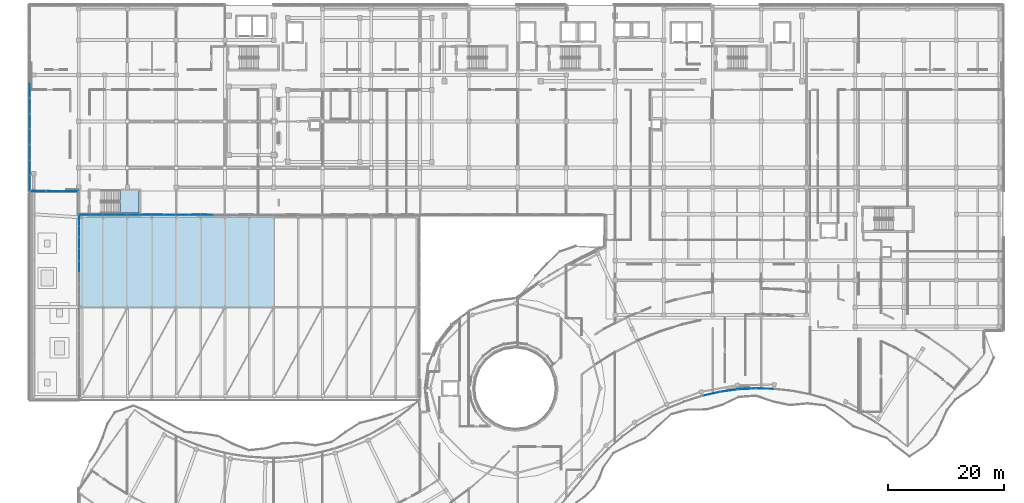
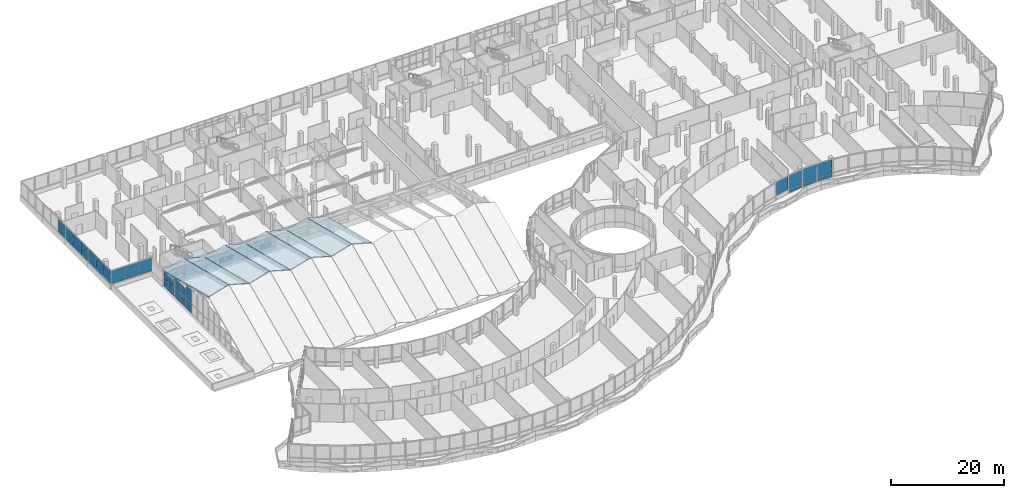
# One storey, part 150 of 184: 49 plates, 9 slabs, 15 elements without a shape of their own.
"""IFC4 building model written with IfcOpenShell, lengths in metres."""

import ifcopenshell
import ifcopenshell.guid

model = None  # the IFC model being written
_history = None  # IfcOwnerHistory: only IFC2X3 demands one
_inside = {}  # id of a spatial element -> (the spatial element, [elements in it])
_under = {}  # id of a project, library or spatial element -> (it, [spatial elements below it])
_declared = {}  # id of a project -> (the project, [libraries it declares])
_typed = {}  # id of a type object -> (the type object, [elements of that type])
_made_of = {}  # id of a material, layer set ... -> (it, [elements and type objects made of it])


def new_model(schema):
    """Start an empty IFC model of exactly this schema.

    Asked for "IFC4X3", IfcOpenShell would pick the latest addendum, in which some entities
    have other attributes; the version numbers below select the first issue.
    IFC2X3 requires an IfcOwnerHistory on every rooted entity: one is made here for all.
    """
    global model, _history
    if schema == "IFC4X3":
        model = ifcopenshell.file(schema_version=(4, 3, 0, 0))
    else:
        model = ifcopenshell.file(schema=schema)
    _inside.clear()
    _under.clear()
    _declared.clear()
    _typed.clear()
    _made_of.clear()
    _history = None
    if model.schema == "IFC2X3":
        org = make("IfcOrganization", Name="unknown")
        user = make(
            "IfcPersonAndOrganization",
            ThePerson=make("IfcPerson", FamilyName="unknown"),
            TheOrganization=org,
        )
        app = make(
            "IfcApplication",
            ApplicationDeveloper=org,
            Version="unknown",
            ApplicationFullName="unknown",
            ApplicationIdentifier="unknown",
        )
        _history = make(
            "IfcOwnerHistory",
            OwningUser=user,
            OwningApplication=app,
            ChangeAction="ADDED",
            CreationDate=0,
        )
    return model


def make(cls, **values):
    """One entity of the class cls with the attributes given. An attribute that is None is left unset."""
    return model.create_entity(
        cls, **{name: value for name, value in values.items() if value is not None}
    )


def rooted(cls, **values):
    """An entity with a GlobalId (a new one), such as an element, a storey or a relation."""
    return make(cls, GlobalId=ifcopenshell.guid.new(), OwnerHistory=_history, **values)


def si_unit(unit_type, name, prefix=None):
    """IfcSIUnit, for example si_unit("LENGTHUNIT", "METRE", prefix="MILLI")."""
    return make("IfcSIUnit", UnitType=unit_type, Prefix=prefix, Name=name)


def assignment(units):
    """IfcUnitAssignment: the units of a project."""
    return None if units is None else make("IfcUnitAssignment", Units=units)


def point(xyz):
    """IfcCartesianPoint."""
    return None if xyz is None else make("IfcCartesianPoint", Coordinates=xyz)


def direction(xyz):
    """IfcDirection."""
    return None if xyz is None else make("IfcDirection", DirectionRatios=xyz)


def frame(location, z_axis=None, x_axis=None):
    """IfcAxis2Placement3D, a coordinate frame: its origin and axes. An axis left out is left unset."""
    return make(
        "IfcAxis2Placement3D",
        Location=point(location),
        Axis=direction(z_axis),
        RefDirection=direction(x_axis),
    )


def frame_2d(location, x_axis=None):
    """IfcAxis2Placement2D, a coordinate frame in the plane: its origin and x axis."""
    return make(
        "IfcAxis2Placement2D", Location=point(location), RefDirection=direction(x_axis)
    )


def origin():
    """The frame at (0, 0, 0) with its axes left unset."""
    return frame((0.0, 0.0, 0.0))


def origin_2d():
    """The frame at (0, 0) in the plane with its x axis left unset."""
    return frame_2d((0.0, 0.0))


def place(relative_to, where):
    """IfcLocalPlacement: puts the frame where relative to a parent placement (None: the world)."""
    return make(
        "IfcLocalPlacement", PlacementRelTo=relative_to, RelativePlacement=where
    )


def context(
    kind, dimensions, precision=None, world=None, true_north=None, identifier=None
):
    """IfcGeometricRepresentationContext, for example the 3D "Model" context."""
    return make(
        "IfcGeometricRepresentationContext",
        ContextIdentifier=identifier,
        ContextType=kind,
        CoordinateSpaceDimension=dimensions,
        Precision=precision,
        WorldCoordinateSystem=world,
        TrueNorth=true_north,
    )


def subcontext(parent, identifier, kind, view, scale=None):
    """IfcGeometricRepresentationSubContext, for example "Body" below "Model"."""
    return make(
        "IfcGeometricRepresentationSubContext",
        ContextIdentifier=identifier,
        ContextType=kind,
        ParentContext=parent,
        TargetScale=scale,
        TargetView=view,
    )


def project(units=None, contexts=None):
    """IfcProject with its units and contexts."""
    return rooted(
        "IfcProject",
        Name="project",
        RepresentationContexts=contexts,
        UnitsInContext=assignment(units),
    )


def spatial(cls, under=None, at=None, **own):
    """A site, building, storey or space (cls), placed at a placement, below another one or the project."""
    s = rooted(cls, ObjectPlacement=at, **own)
    if under is not None:
        _under.setdefault(under.id(), (under, []))[1].append(s)
    return s


def polyline(points):
    """IfcPolyline through the points."""
    return make("IfcPolyline", Points=[point(p) for p in points])


def profile(cls, at=None, kind="AREA", **sizes):
    """A parametric profile (cls). Its sizes go by their IFC names, for example OverallWidth=200.0."""
    return make(cls, ProfileType=kind, Position=at, **sizes)


def rectangle(**sizes):
    """IfcRectangleProfileDef."""
    return profile("IfcRectangleProfileDef", **sizes)


def outline(outer, holes=None, kind="AREA"):
    """IfcArbitraryClosedProfileDef: a profile drawn as a closed curve; with holes, ...WithVoids."""
    if holes is None:
        return make("IfcArbitraryClosedProfileDef", ProfileType=kind, OuterCurve=outer)
    return make(
        "IfcArbitraryProfileDefWithVoids",
        ProfileType=kind,
        OuterCurve=outer,
        InnerCurves=holes,
    )


def extrude(swept, where, along, depth):
    """IfcExtrudedAreaSolid: the profile swept, set in the frame where, extruded along a direction by depth."""
    return make(
        "IfcExtrudedAreaSolid",
        SweptArea=swept,
        Position=where,
        ExtrudedDirection=direction(along),
        Depth=depth,
    )


def shape(context_of_items, identifier, shape_type, items):
    """IfcShapeRepresentation: the items that make up one representation, for example the "Body"."""
    return make(
        "IfcShapeRepresentation",
        ContextOfItems=context_of_items,
        RepresentationIdentifier=identifier,
        RepresentationType=shape_type,
        Items=items,
    )


def material(Name=None, Category=None):
    """IfcMaterial."""
    return make("IfcMaterial", Name=Name, Category=Category)


def layer(
    of_material, thickness, ventilated=None, Name=None, Category=None, Priority=None
):
    """IfcMaterialLayer: one layer of a wall or slab, of a material (None: an air gap)."""
    return make(
        "IfcMaterialLayer",
        Material=of_material,
        LayerThickness=thickness,
        IsVentilated=ventilated,
        Name=Name,
        Category=Category,
        Priority=Priority,
    )


def layer_set(layers, Name=None):
    """IfcMaterialLayerSet."""
    return make("IfcMaterialLayerSet", MaterialLayers=layers, LayerSetName=Name)


def made_of(thing, what):
    """Note that an element or type object is made of a material, layer set ...; save() writes the relation."""
    if what is not None:
        _made_of.setdefault(what.id(), (what, []))[1].append(thing)
    return thing


def type_object(cls, material=None, **own):
    """A type object (cls), such as IfcWallType, which elements share."""
    return made_of(rooted(cls, **own), material)


def element(
    cls,
    number,
    at=None,
    inside=None,
    cuts=None,
    type_object=None,
    material=None,
    context=None,
    identifier="Body",
    shape_type=None,
    held_by="IfcProductDefinitionShape",
    body=None,
    shapes=None,
    **own,
):
    """One element of the class cls, such as IfcWall. Its Tag is "e" and its number.

    at: its placement. inside: the storey or other place that contains it. cuts: it is an
    opening in that element (IfcRelVoidsElement). A single representation is given by context,
    identifier, shape_type and body (its items); several are given by shapes. held_by: the class
    of the entity that holds the representations. save() writes the other relations.
    """
    e = rooted(cls, Tag="e%d" % number, ObjectPlacement=at, **own)
    if body is not None:
        shapes = [shape(context, identifier, shape_type, body)]
    if shapes is not None:
        e.Representation = make(held_by, Representations=shapes)
    if inside is not None:
        _inside.setdefault(inside.id(), (inside, []))[1].append(e)
    if cuts is not None:
        rooted(
            "IfcRelVoidsElement", RelatingBuildingElement=cuts, RelatedOpeningElement=e
        )
    if type_object is not None:
        _typed.setdefault(type_object.id(), (type_object, []))[1].append(e)
    return made_of(e, material)


def aggregate(whole, parts):
    """IfcRelAggregates: a whole, such as a stair, and the parts it consists of."""
    return rooted("IfcRelAggregates", RelatingObject=whole, RelatedObjects=parts)


def save(model, path):
    """Write the relations noted so far, then the file.

    IfcRelAggregates (storeys below a building ...), IfcRelContainedInSpatialStructure (elements
    in a storey), IfcRelDefinesByType, IfcRelAssociatesMaterial and IfcRelDeclares: one each for
    every whole, place, type object, material and project.
    """
    for whole, parts in _under.values():
        aggregate(whole, parts)
    for where, things in _inside.values():
        rooted(
            "IfcRelContainedInSpatialStructure",
            RelatedElements=things,
            RelatingStructure=where,
        )
    for kind, things in _typed.values():
        rooted("IfcRelDefinesByType", RelatedObjects=things, RelatingType=kind)
    for what, things in _made_of.values():
        rooted("IfcRelAssociatesMaterial", RelatedObjects=things, RelatingMaterial=what)
    for by, libraries in _declared.values():
        rooted("IfcRelDeclares", RelatingContext=by, RelatedDefinitions=libraries)
    model.write(path)


model = new_model("IFC4")

# Units and contexts
model_context = context("Model", 3, precision=1e-05, world=origin(), true_north=direction((0.0, 1.0)))
body_context = subcontext(model_context, "Body", "Model", "MODEL_VIEW")
ifc_project = project(units=[si_unit("LENGTHUNIT", "METRE"), si_unit("AREAUNIT", "SQUARE_METRE"), si_unit("VOLUMEUNIT", "CUBIC_METRE"), si_unit("PLANEANGLEUNIT", "RADIAN"), si_unit("MASSUNIT", "GRAM", prefix="KILO")], contexts=[model_context])

# Site, building, storey
site_placement = place(None, origin())
site = spatial("IfcSite", under=ifc_project, at=site_placement, CompositionType="ELEMENT")
building_placement = place(site_placement, origin())
building = spatial("IfcBuilding", under=site, at=building_placement, Name="Selatvlak General Hospital", CompositionType="ELEMENT")
storey_placement = place(building_placement, frame((0.0, 0.0, 15.0)))
storey = spatial("IfcBuildingStorey", under=building, at=storey_placement, Name="L03", CompositionType="ELEMENT", Elevation=15.0)

# Curtain wall, plates
ifc_material_1 = material(Name="Solar-control Low-E double glazing", Category="glass")
curtain_wall_type_1 = type_object("IfcCurtainWallType", Name="CW-CW-01", PredefinedType="USERDEFINED", material=ifc_material_1)
curtain_wall_1_placement = place(storey_placement, origin())
curtain_wall_1 = element("IfcCurtainWall", 1, at=curtain_wall_1_placement, inside=storey, type_object=curtain_wall_type_1, Name="Glazed facade curtain wall CW-L03-0360", ObjectType="UNITISED CURTAIN WALL", PredefinedType="USERDEFINED")
ifc_layer_1 = layer(ifc_material_1, 0.028076171875, Name="Solar-control Low-E double glazing", Category="glass")
ifc_layer_set_1 = layer_set([ifc_layer_1], Name="Solar-control Low-E double glazing")
plate_type = type_object("IfcPlateType", Name="CWP-01", PredefinedType="CURTAIN_PANEL", material=ifc_layer_set_1)
plate_1_placement = place(storey_placement, frame((14.39990234375, 89.359619140625, 1.0048828125), z_axis=(0.0, 0.0, 1.0), x_axis=(0.0, 1.0, 0.0)))
plate_1 = element("IfcPlate", 2, at=plate_1_placement, type_object=plate_type, Name="CW-01 panel 1.1", PredefinedType="CURTAIN_PANEL", context=body_context, shape_type="SweptSolid", body=[
    extrude(rectangle(XDim=2.55908203125, YDim=0.028076171875, at=origin_2d()), origin(), (0.0, 0.0, 1.0), 2.824951171875),
])
plate_2_placement = place(storey_placement, frame((14.39990234375, 92.0, 1.0048828125), z_axis=(0.0, 0.0, 1.0), x_axis=(0.0, 1.0, 0.0)))
plate_2 = element("IfcPlate", 3, at=plate_2_placement, type_object=plate_type, Name="CW-01 panel 2.1", PredefinedType="CURTAIN_PANEL", context=body_context, shape_type="SweptSolid", body=[
    extrude(rectangle(XDim=2.591552734375, YDim=0.028076171875, at=origin_2d()), origin(), (0.0, 0.0, 1.0), 2.824951171875),
])
plate_3_placement = place(storey_placement, frame((14.39990234375, 94.640380859375, 1.0048828125), z_axis=(0.0, 0.0, 1.0), x_axis=(0.0, 1.0, 0.0)))
plate_3 = element("IfcPlate", 4, at=plate_3_placement, type_object=plate_type, Name="CW-01 panel 3.1", PredefinedType="CURTAIN_PANEL", context=body_context, shape_type="SweptSolid", body=[
    extrude(rectangle(XDim=2.55908203125, YDim=0.028076171875, at=origin_2d()), origin(), (0.0, 0.0, 1.0), 2.824951171875),
])
aggregate(curtain_wall_1, [plate_1, plate_2, plate_3])

curtain_wall_type_2 = type_object("IfcCurtainWallType", Name="CW-CW-02", PredefinedType="USERDEFINED", material=ifc_material_1)
curtain_wall_2_placement = place(storey_placement, origin())
curtain_wall_2 = element("IfcCurtainWall", 5, at=curtain_wall_2_placement, inside=storey, type_object=curtain_wall_type_2, Name="Glazed facade curtain wall CW-L03-0361", ObjectType="UNITISED CURTAIN WALL", PredefinedType="USERDEFINED")
plate_4_placement = place(storey_placement, frame((14.39990234375, 97.401123046875, 1.0048828125), z_axis=(0.0, 0.0, 1.0), x_axis=(0.0, 1.0, 0.0)))
plate_4 = element("IfcPlate", 6, at=plate_4_placement, type_object=plate_type, Name="CW-02 panel 1.1", PredefinedType="CURTAIN_PANEL", context=body_context, shape_type="SweptSolid", body=[
    extrude(rectangle(XDim=2.542236328125, YDim=0.028076171875, at=origin_2d()), origin(), (0.0, 0.0, 1.0), 2.824951171875),
])
plate_5_placement = place(storey_placement, frame((14.39990234375, 100.0244140625, 1.0048828125), z_axis=(0.0, 0.0, 1.0), x_axis=(0.0, 1.0, 0.0)))
plate_5 = element("IfcPlate", 7, at=plate_5_placement, type_object=plate_type, Name="CW-02 panel 2.1", PredefinedType="CURTAIN_PANEL", context=body_context, shape_type="SweptSolid", body=[
    extrude(rectangle(XDim=2.57470703125, YDim=0.028076171875, at=origin_2d()), origin(), (0.0, 0.0, 1.0), 2.824951171875),
])
plate_6_placement = place(storey_placement, frame((14.39990234375, 102.64794921875, 1.0048828125), z_axis=(0.0, 0.0, 1.0), x_axis=(0.0, 1.0, 0.0)))
plate_6 = element("IfcPlate", 8, at=plate_6_placement, type_object=plate_type, Name="CW-02 panel 3.1", PredefinedType="CURTAIN_PANEL", context=body_context, shape_type="SweptSolid", body=[
    extrude(rectangle(XDim=2.542236328125, YDim=0.028076171875, at=origin_2d()), origin(), (0.0, 0.0, 1.0), 2.824951171875),
])
aggregate(curtain_wall_2, [plate_4, plate_5, plate_6])

# Curtain wall, plate
curtain_wall_3_placement = place(storey_placement, origin())
curtain_wall_3 = element("IfcCurtainWall", 9, at=curtain_wall_3_placement, inside=storey, type_object=curtain_wall_type_1, Name="Glazed facade curtain wall CW-L03-0362", ObjectType="UNITISED CURTAIN WALL", PredefinedType="USERDEFINED")
plate_7_placement = place(storey_placement, frame((14.39990234375, 105.400146484375, 1.0048828125), z_axis=(0.0, 0.0, 1.0), x_axis=(0.0, 1.0, 0.0)))
plate_7 = element("IfcPlate", 10, at=plate_7_placement, type_object=plate_type, Name="CW-01 panel 1.1", PredefinedType="CURTAIN_PANEL", context=body_context, shape_type="SweptSolid", body=[
    extrude(rectangle(XDim=2.54248046875, YDim=0.028076171875, at=origin_2d()), origin(), (0.0, 0.0, 1.0), 2.824951171875),
])
aggregate(curtain_wall_3, [plate_7])

# Curtain wall, plates
curtain_wall_4_placement = place(storey_placement, origin())
curtain_wall_4 = element("IfcCurtainWall", 11, at=curtain_wall_4_placement, inside=storey, type_object=curtain_wall_type_2, Name="Glazed facade curtain wall CW-L03-0404", ObjectType="UNITISED CURTAIN WALL", PredefinedType="USERDEFINED")
plate_8_placement = place(storey_placement, frame((141.001953125, 53.9541015625, 0.06494140625), z_axis=(0.0, 0.0, 1.0), x_axis=(-0.999616451519, 0.027693859483, 0.0)))
plate_8 = element("IfcPlate", 12, at=plate_8_placement, type_object=plate_type, Name="CW-02 panel 1.1", PredefinedType="CURTAIN_PANEL", context=body_context, shape_type="SweptSolid", body=[
    extrude(rectangle(XDim=2.903076171875, YDim=0.028076171875, at=origin_2d()), origin(), (0.0, 0.0, 1.0), 0.8525390625),
])
plate_9_placement = place(storey_placement, frame((141.001953125, 53.9541015625, 0.982421875), z_axis=(0.0, 0.0, 1.0), x_axis=(-0.999616451519, 0.027693859483, 0.0)))
plate_9 = element("IfcPlate", 13, at=plate_9_placement, type_object=plate_type, Name="CW-02 panel 1.2", PredefinedType="CURTAIN_PANEL", context=body_context, shape_type="SweptSolid", body=[
    extrude(rectangle(XDim=2.903076171875, YDim=0.028076171875, at=origin_2d()), origin(), (0.0, 0.0, 1.0), 2.847412109375),
])
aggregate(curtain_wall_4, [plate_8, plate_9])

curtain_wall_5_placement = place(storey_placement, origin())
curtain_wall_5 = element("IfcCurtainWall", 14, at=curtain_wall_5_placement, inside=storey, type_object=curtain_wall_type_1, Name="Glazed facade curtain wall CW-L03-0405", ObjectType="UNITISED CURTAIN WALL", PredefinedType="USERDEFINED")
plate_10_placement = place(storey_placement, frame((137.89453125, 53.908447265625, 0.06494140625), z_axis=(0.0, 0.0, 1.0), x_axis=(-0.998477581672, -0.055159032792, 0.0)))
plate_10 = element("IfcPlate", 15, at=plate_10_placement, type_object=plate_type, Name="CW-01 panel 1.1", PredefinedType="CURTAIN_PANEL", context=body_context, shape_type="SweptSolid", body=[
    extrude(rectangle(XDim=2.897705078125, YDim=0.028076171875, at=origin_2d()), origin(), (0.0, 0.0, 1.0), 0.8525390625),
])
plate_11_placement = place(storey_placement, frame((137.89453125, 53.908447265625, 0.982421875), z_axis=(0.0, 0.0, 1.0), x_axis=(-0.998477581672, -0.055159032792, 0.0)))
plate_11 = element("IfcPlate", 16, at=plate_11_placement, type_object=plate_type, Name="CW-01 panel 1.2", PredefinedType="CURTAIN_PANEL", context=body_context, shape_type="SweptSolid", body=[
    extrude(rectangle(XDim=2.897705078125, YDim=0.028076171875, at=origin_2d()), origin(), (0.0, 0.0, 1.0), 2.847412109375),
])
aggregate(curtain_wall_5, [plate_10, plate_11])

curtain_wall_6_placement = place(storey_placement, origin())
curtain_wall_6 = element("IfcCurtainWall", 17, at=curtain_wall_6_placement, inside=storey, type_object=curtain_wall_type_2, Name="Glazed facade curtain wall CW-L03-0406", ObjectType="UNITISED CURTAIN WALL", PredefinedType="USERDEFINED")
plate_12_placement = place(storey_placement, frame((134.800537109375, 53.60498046875, 0.06494140625), z_axis=(0.0, 0.0, 1.0), x_axis=(-0.990373398315, -0.138421573138, 0.0)))
plate_12 = element("IfcPlate", 18, at=plate_12_placement, type_object=plate_type, Name="CW-02 panel 1.1", PredefinedType="CURTAIN_PANEL", context=body_context, shape_type="SweptSolid", body=[
    extrude(rectangle(XDim=2.904296875, YDim=0.028076171875, at=origin_2d()), origin(), (0.0, 0.0, 1.0), 0.8525390625),
])
plate_13_placement = place(storey_placement, frame((134.800537109375, 53.60498046875, 0.982421875), z_axis=(0.0, 0.0, 1.0), x_axis=(-0.990373398315, -0.138421573138, 0.0)))
plate_13 = element("IfcPlate", 19, at=plate_13_placement, type_object=plate_type, Name="CW-02 panel 1.2", PredefinedType="CURTAIN_PANEL", context=body_context, shape_type="SweptSolid", body=[
    extrude(rectangle(XDim=2.904296875, YDim=0.028076171875, at=origin_2d()), origin(), (0.0, 0.0, 1.0), 2.847412109375),
])
aggregate(curtain_wall_6, [plate_12, plate_13])

# Curtain wall, plate
curtain_wall_7_placement = place(storey_placement, origin())
curtain_wall_7 = element("IfcCurtainWall", 20, at=curtain_wall_7_placement, inside=storey, type_object=curtain_wall_type_1, Name="Glazed facade curtain wall CW-L03-0407", ObjectType="UNITISED CURTAIN WALL", PredefinedType="USERDEFINED")
plate_14_placement = place(storey_placement, frame((131.739990234375, 53.0458984375, 0.982421875), z_axis=(0.0, 0.0, 1.0), x_axis=(-0.975577961684, -0.219653455874, 0.0)))
plate_14 = element("IfcPlate", 21, at=plate_14_placement, type_object=plate_type, Name="CW-01 panel 1.2", PredefinedType="CURTAIN_PANEL", context=body_context, shape_type="SweptSolid", body=[
    extrude(rectangle(XDim=2.902099609375, YDim=0.028076171875, at=origin_2d()), origin(), (0.0, 0.0, 1.0), 2.847412109375),
])
aggregate(curtain_wall_7, [plate_14])

# Curtain wall, plates
curtain_wall_8_placement = place(storey_placement, origin())
curtain_wall_8 = element("IfcCurtainWall", 22, at=curtain_wall_8_placement, inside=storey, type_object=curtain_wall_type_1, Name="Glazed facade curtain wall CW-L03-0475", ObjectType="UNITISED CURTAIN WALL", PredefinedType="USERDEFINED")
plate_15_placement = place(storey_placement, frame((21.382080078125, 87.9501953125, 1.0048828125), z_axis=(0.0, 0.0, 1.0), x_axis=(-0.999973997871, 0.007211350946, 0.0)))
plate_15 = element("IfcPlate", 23, at=plate_15_placement, type_object=plate_type, Name="CW-01 panel 1.1", PredefinedType="CURTAIN_PANEL", context=body_context, shape_type="SweptSolid", body=[
    extrude(rectangle(XDim=2.676025390625, YDim=0.028076171875, at=origin_2d()), origin(), (0.0, 0.0, 1.0), 2.824951171875),
])
plate_16_placement = place(storey_placement, frame((18.625, 87.969970703125, 1.0048828125), z_axis=(0.0, 0.0, 1.0), x_axis=(-0.999973997871, 0.007211350946, 0.0)))
plate_16 = element("IfcPlate", 24, at=plate_16_placement, type_object=plate_type, Name="CW-01 panel 2.1", PredefinedType="CURTAIN_PANEL", context=body_context, shape_type="SweptSolid", body=[
    extrude(rectangle(XDim=2.70849609375, YDim=0.028076171875, at=origin_2d()), origin(), (0.0, 0.0, 1.0), 2.824951171875),
])
plate_17_placement = place(storey_placement, frame((15.867919921875, 87.989990234375, 1.0048828125), z_axis=(0.0, 0.0, 1.0), x_axis=(-0.999973997871, 0.007211350946, 0.0)))
plate_17 = element("IfcPlate", 25, at=plate_17_placement, type_object=plate_type, Name="CW-01 panel 3.1", PredefinedType="CURTAIN_PANEL", context=body_context, shape_type="SweptSolid", body=[
    extrude(rectangle(XDim=2.676025390625, YDim=0.028076171875, at=origin_2d()), origin(), (0.0, 0.0, 1.0), 2.824951171875),
])
aggregate(curtain_wall_8, [plate_15, plate_16, plate_17])

curtain_wall_type_3 = type_object("IfcCurtainWallType", Name="CW-CW-04", PredefinedType="USERDEFINED", material=ifc_material_1)
curtain_wall_9_placement = place(storey_placement, origin())
curtain_wall_9 = element("IfcCurtainWall", 26, at=curtain_wall_9_placement, inside=storey, type_object=curtain_wall_type_3, Name="Glazed facade curtain wall CW-L03-0716", ObjectType="STICK GLAZING WALL", PredefinedType="USERDEFINED")
plate_18_placement = place(storey_placement, frame((23.87744140625, 83.919921875, 0.06494140625), z_axis=(0.0, 0.0, 1.0), x_axis=(1.0, 0.0, 0.0)))
plate_18 = element("IfcPlate", 27, at=plate_18_placement, type_object=plate_type, Name="CW-04 panel 1.1", PredefinedType="CURTAIN_PANEL", context=body_context, shape_type="SweptSolid", body=[
    extrude(rectangle(XDim=1.9951171875, YDim=0.028076171875, at=origin_2d()), origin(), (0.0, 0.0, 1.0), 1.50244140625),
])
plate_19_placement = place(storey_placement, frame((23.87744140625, 83.919921875, 1.63232421875), z_axis=(0.0, 0.0, 1.0), x_axis=(1.0, 0.0, 0.0)))
plate_19 = element("IfcPlate", 28, at=plate_19_placement, type_object=plate_type, Name="CW-04 panel 1.2", PredefinedType="CURTAIN_PANEL", context=body_context, shape_type="SweptSolid", body=[
    extrude(rectangle(XDim=1.9951171875, YDim=0.028076171875, at=origin_2d()), origin(), (0.0, 0.0, 1.0), 1.552490234375),
])
plate_20_placement = place(storey_placement, frame((25.953857421875, 83.919921875, 0.06494140625), z_axis=(0.0, 0.0, 1.0), x_axis=(1.0, 0.0, 0.0)))
plate_20 = element("IfcPlate", 29, at=plate_20_placement, type_object=plate_type, Name="CW-04 panel 2.1", PredefinedType="CURTAIN_PANEL", context=body_context, shape_type="SweptSolid", body=[
    extrude(rectangle(XDim=2.027587890625, YDim=0.028076171875, at=origin_2d()), origin(), (0.0, 0.0, 1.0), 1.50244140625),
])
plate_21_placement = place(storey_placement, frame((25.953857421875, 83.919921875, 1.63232421875), z_axis=(0.0, 0.0, 1.0), x_axis=(1.0, 0.0, 0.0)))
plate_21 = element("IfcPlate", 30, at=plate_21_placement, type_object=plate_type, Name="CW-04 panel 2.2", PredefinedType="CURTAIN_PANEL", context=body_context, shape_type="SweptSolid", body=[
    extrude(rectangle(XDim=2.027587890625, YDim=0.028076171875, at=origin_2d()), origin(), (0.0, 0.0, 1.0), 1.552490234375),
])
plate_22_placement = place(storey_placement, frame((28.046142578125, 83.919921875, 0.06494140625), z_axis=(0.0, 0.0, 1.0), x_axis=(1.0, 0.0, 0.0)))
plate_22 = element("IfcPlate", 31, at=plate_22_placement, type_object=plate_type, Name="CW-04 panel 3.1", PredefinedType="CURTAIN_PANEL", context=body_context, shape_type="SweptSolid", body=[
    extrude(rectangle(XDim=2.027587890625, YDim=0.028076171875, at=origin_2d()), origin(), (0.0, 0.0, 1.0), 1.50244140625),
])
plate_23_placement = place(storey_placement, frame((28.046142578125, 83.919921875, 1.63232421875), z_axis=(0.0, 0.0, 1.0), x_axis=(1.0, 0.0, 0.0)))
plate_23 = element("IfcPlate", 32, at=plate_23_placement, type_object=plate_type, Name="CW-04 panel 3.2", PredefinedType="CURTAIN_PANEL", context=body_context, shape_type="SweptSolid", body=[
    extrude(rectangle(XDim=2.027587890625, YDim=0.028076171875, at=origin_2d()), origin(), (0.0, 0.0, 1.0), 1.552490234375),
])
plate_24_placement = place(storey_placement, frame((30.12255859375, 83.919921875, 0.06494140625), z_axis=(0.0, 0.0, 1.0), x_axis=(1.0, 0.0, 0.0)))
plate_24 = element("IfcPlate", 33, at=plate_24_placement, type_object=plate_type, Name="CW-04 panel 4.1", PredefinedType="CURTAIN_PANEL", context=body_context, shape_type="SweptSolid", body=[
    extrude(rectangle(XDim=1.9951171875, YDim=0.028076171875, at=origin_2d()), origin(), (0.0, 0.0, 1.0), 1.50244140625),
])
plate_25_placement = place(storey_placement, frame((30.12255859375, 83.919921875, 1.63232421875), z_axis=(0.0, 0.0, 1.0), x_axis=(1.0, 0.0, 0.0)))
plate_25 = element("IfcPlate", 34, at=plate_25_placement, type_object=plate_type, Name="CW-04 panel 4.2", PredefinedType="CURTAIN_PANEL", context=body_context, shape_type="SweptSolid", body=[
    extrude(rectangle(XDim=1.9951171875, YDim=0.028076171875, at=origin_2d()), origin(), (0.0, 0.0, 1.0), 1.552490234375),
])
aggregate(curtain_wall_9, [plate_18, plate_19, plate_20, plate_21, plate_22, plate_23, plate_24, plate_25])

curtain_wall_10_placement = place(storey_placement, origin())
curtain_wall_10 = element("IfcCurtainWall", 35, at=curtain_wall_10_placement, inside=storey, type_object=curtain_wall_type_3, Name="Glazed facade curtain wall CW-L03-0717", ObjectType="STICK GLAZING WALL", PredefinedType="USERDEFINED")
plate_26_placement = place(storey_placement, frame((32.3212890625, 83.919921875, 0.06494140625), z_axis=(0.0, 0.0, 1.0), x_axis=(1.0, 0.0, 0.0)))
plate_26 = element("IfcPlate", 36, at=plate_26_placement, type_object=plate_type, Name="CW-04 panel 1.1", PredefinedType="CURTAIN_PANEL", context=body_context, shape_type="SweptSolid", body=[
    extrude(rectangle(XDim=1.982421875, YDim=0.028076171875, at=origin_2d()), origin(), (0.0, 0.0, 1.0), 1.50244140625),
])
plate_27_placement = place(storey_placement, frame((32.3212890625, 83.919921875, 1.63232421875), z_axis=(0.0, 0.0, 1.0), x_axis=(1.0, 0.0, 0.0)))
plate_27 = element("IfcPlate", 37, at=plate_27_placement, type_object=plate_type, Name="CW-04 panel 1.2", PredefinedType="CURTAIN_PANEL", context=body_context, shape_type="SweptSolid", body=[
    extrude(rectangle(XDim=1.982421875, YDim=0.028076171875, at=origin_2d()), origin(), (0.0, 0.0, 1.0), 1.552490234375),
])
plate_28_placement = place(storey_placement, frame((34.385009765625, 83.919921875, 0.06494140625), z_axis=(0.0, 0.0, 1.0), x_axis=(1.0, 0.0, 0.0)))
plate_28 = element("IfcPlate", 38, at=plate_28_placement, type_object=plate_type, Name="CW-04 panel 2.1", PredefinedType="CURTAIN_PANEL", context=body_context, shape_type="SweptSolid", body=[
    extrude(rectangle(XDim=2.014892578125, YDim=0.028076171875, at=origin_2d()), origin(), (0.0, 0.0, 1.0), 1.50244140625),
])
plate_29_placement = place(storey_placement, frame((34.385009765625, 83.919921875, 1.63232421875), z_axis=(0.0, 0.0, 1.0), x_axis=(1.0, 0.0, 0.0)))
plate_29 = element("IfcPlate", 39, at=plate_29_placement, type_object=plate_type, Name="CW-04 panel 2.2", PredefinedType="CURTAIN_PANEL", context=body_context, shape_type="SweptSolid", body=[
    extrude(rectangle(XDim=2.014892578125, YDim=0.028076171875, at=origin_2d()), origin(), (0.0, 0.0, 1.0), 1.552490234375),
])
plate_30_placement = place(storey_placement, frame((36.465087890625, 83.919921875, 0.06494140625), z_axis=(0.0, 0.0, 1.0), x_axis=(1.0, 0.0, 0.0)))
plate_30 = element("IfcPlate", 40, at=plate_30_placement, type_object=plate_type, Name="CW-04 panel 3.1", PredefinedType="CURTAIN_PANEL", context=body_context, shape_type="SweptSolid", body=[
    extrude(rectangle(XDim=2.014892578125, YDim=0.028076171875, at=origin_2d()), origin(), (0.0, 0.0, 1.0), 1.50244140625),
])
plate_31_placement = place(storey_placement, frame((36.465087890625, 83.919921875, 1.63232421875), z_axis=(0.0, 0.0, 1.0), x_axis=(1.0, 0.0, 0.0)))
plate_31 = element("IfcPlate", 41, at=plate_31_placement, type_object=plate_type, Name="CW-04 panel 3.2", PredefinedType="CURTAIN_PANEL", context=body_context, shape_type="SweptSolid", body=[
    extrude(rectangle(XDim=2.014892578125, YDim=0.028076171875, at=origin_2d()), origin(), (0.0, 0.0, 1.0), 1.552490234375),
])
plate_32_placement = place(storey_placement, frame((38.52880859375, 83.919921875, 0.06494140625), z_axis=(0.0, 0.0, 1.0), x_axis=(1.0, 0.0, 0.0)))
plate_32 = element("IfcPlate", 42, at=plate_32_placement, type_object=plate_type, Name="CW-04 panel 4.1", PredefinedType="CURTAIN_PANEL", context=body_context, shape_type="SweptSolid", body=[
    extrude(rectangle(XDim=1.982421875, YDim=0.028076171875, at=origin_2d()), origin(), (0.0, 0.0, 1.0), 1.50244140625),
])
plate_33_placement = place(storey_placement, frame((38.52880859375, 83.919921875, 1.63232421875), z_axis=(0.0, 0.0, 1.0), x_axis=(1.0, 0.0, 0.0)))
plate_33 = element("IfcPlate", 43, at=plate_33_placement, type_object=plate_type, Name="CW-04 panel 4.2", PredefinedType="CURTAIN_PANEL", context=body_context, shape_type="SweptSolid", body=[
    extrude(rectangle(XDim=1.982421875, YDim=0.028076171875, at=origin_2d()), origin(), (0.0, 0.0, 1.0), 1.552490234375),
])
aggregate(curtain_wall_10, [plate_26, plate_27, plate_28, plate_29, plate_30, plate_31, plate_32, plate_33])

curtain_wall_11_placement = place(storey_placement, origin())
curtain_wall_11 = element("IfcCurtainWall", 44, at=curtain_wall_11_placement, inside=storey, type_object=curtain_wall_type_3, Name="Glazed facade curtain wall CW-L03-0718", ObjectType="STICK GLAZING WALL", PredefinedType="USERDEFINED")
plate_34_placement = place(storey_placement, frame((40.72119140625, 83.919921875, 0.06494140625), z_axis=(0.0, 0.0, 1.0), x_axis=(1.0, 0.0, 0.0)))
plate_34 = element("IfcPlate", 45, at=plate_34_placement, type_object=plate_type, Name="CW-04 panel 1.1", PredefinedType="CURTAIN_PANEL", context=body_context, shape_type="SweptSolid", body=[
    extrude(rectangle(XDim=1.982421875, YDim=0.028076171875, at=origin_2d()), origin(), (0.0, 0.0, 1.0), 1.50244140625),
])
plate_35_placement = place(storey_placement, frame((40.72119140625, 83.919921875, 1.63232421875), z_axis=(0.0, 0.0, 1.0), x_axis=(1.0, 0.0, 0.0)))
plate_35 = element("IfcPlate", 46, at=plate_35_placement, type_object=plate_type, Name="CW-04 panel 1.2", PredefinedType="CURTAIN_PANEL", context=body_context, shape_type="SweptSolid", body=[
    extrude(rectangle(XDim=1.982421875, YDim=0.028076171875, at=origin_2d()), origin(), (0.0, 0.0, 1.0), 1.552490234375),
])
plate_36_placement = place(storey_placement, frame((42.784912109375, 83.919921875, 0.06494140625), z_axis=(0.0, 0.0, 1.0), x_axis=(1.0, 0.0, 0.0)))
plate_36 = element("IfcPlate", 47, at=plate_36_placement, type_object=plate_type, Name="CW-04 panel 2.1", PredefinedType="CURTAIN_PANEL", context=body_context, shape_type="SweptSolid", body=[
    extrude(rectangle(XDim=2.014892578125, YDim=0.028076171875, at=origin_2d()), origin(), (0.0, 0.0, 1.0), 1.50244140625),
])
plate_37_placement = place(storey_placement, frame((42.784912109375, 83.919921875, 1.63232421875), z_axis=(0.0, 0.0, 1.0), x_axis=(1.0, 0.0, 0.0)))
plate_37 = element("IfcPlate", 48, at=plate_37_placement, type_object=plate_type, Name="CW-04 panel 2.2", PredefinedType="CURTAIN_PANEL", context=body_context, shape_type="SweptSolid", body=[
    extrude(rectangle(XDim=2.014892578125, YDim=0.028076171875, at=origin_2d()), origin(), (0.0, 0.0, 1.0), 1.552490234375),
])
plate_38_placement = place(storey_placement, frame((44.864990234375, 83.919921875, 0.06494140625), z_axis=(0.0, 0.0, 1.0), x_axis=(1.0, 0.0, 0.0)))
plate_38 = element("IfcPlate", 49, at=plate_38_placement, type_object=plate_type, Name="CW-04 panel 3.1", PredefinedType="CURTAIN_PANEL", context=body_context, shape_type="SweptSolid", body=[
    extrude(rectangle(XDim=2.014892578125, YDim=0.028076171875, at=origin_2d()), origin(), (0.0, 0.0, 1.0), 1.50244140625),
])
plate_39_placement = place(storey_placement, frame((44.864990234375, 83.919921875, 1.63232421875), z_axis=(0.0, 0.0, 1.0), x_axis=(1.0, 0.0, 0.0)))
plate_39 = element("IfcPlate", 50, at=plate_39_placement, type_object=plate_type, Name="CW-04 panel 3.2", PredefinedType="CURTAIN_PANEL", context=body_context, shape_type="SweptSolid", body=[
    extrude(rectangle(XDim=2.014892578125, YDim=0.028076171875, at=origin_2d()), origin(), (0.0, 0.0, 1.0), 1.552490234375),
])
aggregate(curtain_wall_11, [plate_34, plate_35, plate_36, plate_37, plate_38, plate_39])

curtain_wall_type_4 = type_object("IfcCurtainWallType", Name="CW-CW-05", PredefinedType="USERDEFINED", material=ifc_material_1)
curtain_wall_12_placement = place(storey_placement, origin())
curtain_wall_12 = element("IfcCurtainWall", 51, at=curtain_wall_12_placement, inside=storey, type_object=curtain_wall_type_4, Name="Glazed facade curtain wall CW-L03-0727", ObjectType="STICK GLAZING WALL", PredefinedType="USERDEFINED")
plate_40_placement = place(storey_placement, frame((22.8798828125, 74.98876953125, 0.06494140625), z_axis=(0.0, 0.0, 1.0), x_axis=(0.0, 1.0, 0.0)))
plate_40 = element("IfcPlate", 52, at=plate_40_placement, type_object=plate_type, Name="CW-05 panel 2.1", PredefinedType="CURTAIN_PANEL", context=body_context, shape_type="SweptSolid", body=[
    extrude(rectangle(XDim=1.862548828125, YDim=0.028076171875, at=origin_2d()), origin(), (0.0, 0.0, 1.0), 2.1025390625),
])
plate_41_placement = place(storey_placement, frame((22.8798828125, 74.98876953125, 2.232421875), z_axis=(0.0, 0.0, 1.0), x_axis=(0.0, 1.0, 0.0)))
plate_41 = element("IfcPlate", 53, at=plate_41_placement, type_object=plate_type, Name="CW-05 panel 2.2", PredefinedType="CURTAIN_PANEL", context=body_context, shape_type="SweptSolid", body=[
    extrude(rectangle(XDim=1.862548828125, YDim=0.028076171875, at=origin_2d()), origin(), (0.0, 0.0, 1.0), 2.952392578125),
])
aggregate(curtain_wall_12, [plate_40, plate_41])

curtain_wall_13_placement = place(storey_placement, origin())
curtain_wall_13 = element("IfcCurtainWall", 54, at=curtain_wall_13_placement, inside=storey, type_object=curtain_wall_type_4, Name="Glazed facade curtain wall CW-L03-0728", ObjectType="STICK GLAZING WALL", PredefinedType="USERDEFINED")
plate_42_placement = place(storey_placement, frame((22.8798828125, 77.061279296875, 0.06494140625), z_axis=(0.0, 0.0, 1.0), x_axis=(0.0, 1.0, 0.0)))
plate_42 = element("IfcPlate", 55, at=plate_42_placement, type_object=plate_type, Name="CW-05 panel 1.1", PredefinedType="CURTAIN_PANEL", context=body_context, shape_type="SweptSolid", body=[
    extrude(rectangle(XDim=1.862548828125, YDim=0.028076171875, at=origin_2d()), origin(), (0.0, 0.0, 1.0), 2.1025390625),
])
plate_43_placement = place(storey_placement, frame((22.8798828125, 77.061279296875, 2.232421875), z_axis=(0.0, 0.0, 1.0), x_axis=(0.0, 1.0, 0.0)))
plate_43 = element("IfcPlate", 56, at=plate_43_placement, type_object=plate_type, Name="CW-05 panel 1.2", PredefinedType="CURTAIN_PANEL", context=body_context, shape_type="SweptSolid", body=[
    extrude(rectangle(XDim=1.862548828125, YDim=0.028076171875, at=origin_2d()), origin(), (0.0, 0.0, 1.0), 1.952392578125),
])
plate_44_placement = place(storey_placement, frame((22.8798828125, 78.98876953125, 0.06494140625), z_axis=(0.0, 0.0, 1.0), x_axis=(0.0, 1.0, 0.0)))
plate_44 = element("IfcPlate", 57, at=plate_44_placement, type_object=plate_type, Name="CW-05 panel 2.1", PredefinedType="CURTAIN_PANEL", context=body_context, shape_type="SweptSolid", body=[
    extrude(rectangle(XDim=1.862548828125, YDim=0.028076171875, at=origin_2d()), origin(), (0.0, 0.0, 1.0), 2.1025390625),
])
plate_45_placement = place(storey_placement, frame((22.8798828125, 78.98876953125, 2.232421875), z_axis=(0.0, 0.0, 1.0), x_axis=(0.0, 1.0, 0.0)))
plate_45 = element("IfcPlate", 58, at=plate_45_placement, type_object=plate_type, Name="CW-05 panel 2.2", PredefinedType="CURTAIN_PANEL", context=body_context, shape_type="SweptSolid", body=[
    extrude(rectangle(XDim=1.862548828125, YDim=0.028076171875, at=origin_2d()), origin(), (0.0, 0.0, 1.0), 1.952392578125),
])
aggregate(curtain_wall_13, [plate_42, plate_43, plate_44, plate_45])

curtain_wall_14_placement = place(storey_placement, origin())
curtain_wall_14 = element("IfcCurtainWall", 59, at=curtain_wall_14_placement, inside=storey, type_object=curtain_wall_type_4, Name="Glazed facade curtain wall CW-L03-0729", ObjectType="STICK GLAZING WALL", PredefinedType="USERDEFINED")
plate_46_placement = place(storey_placement, frame((22.8798828125, 81.061279296875, 0.06494140625), z_axis=(0.0, 0.0, 1.0), x_axis=(0.0, 1.0, 0.0)))
plate_46 = element("IfcPlate", 60, at=plate_46_placement, type_object=plate_type, Name="CW-05 panel 1.1", PredefinedType="CURTAIN_PANEL", context=body_context, shape_type="SweptSolid", body=[
    extrude(rectangle(XDim=1.862548828125, YDim=0.028076171875, at=origin_2d()), origin(), (0.0, 0.0, 1.0), 2.1025390625),
])
plate_47_placement = place(storey_placement, frame((22.8798828125, 81.061279296875, 2.232421875), z_axis=(0.0, 0.0, 1.0), x_axis=(0.0, 1.0, 0.0)))
plate_47 = element("IfcPlate", 61, at=plate_47_placement, type_object=plate_type, Name="CW-05 panel 1.2", PredefinedType="CURTAIN_PANEL", context=body_context, shape_type="SweptSolid", body=[
    extrude(rectangle(XDim=1.862548828125, YDim=0.028076171875, at=origin_2d()), origin(), (0.0, 0.0, 1.0), 0.952392578125),
])
plate_48_placement = place(storey_placement, frame((22.8798828125, 82.98876953125, 0.06494140625), z_axis=(0.0, 0.0, 1.0), x_axis=(0.0, 1.0, 0.0)))
plate_48 = element("IfcPlate", 62, at=plate_48_placement, type_object=plate_type, Name="CW-05 panel 2.1", PredefinedType="CURTAIN_PANEL", context=body_context, shape_type="SweptSolid", body=[
    extrude(rectangle(XDim=1.862548828125, YDim=0.028076171875, at=origin_2d()), origin(), (0.0, 0.0, 1.0), 2.1025390625),
])
plate_49_placement = place(storey_placement, frame((22.8798828125, 82.98876953125, 2.232421875), z_axis=(0.0, 0.0, 1.0), x_axis=(0.0, 1.0, 0.0)))
plate_49 = element("IfcPlate", 63, at=plate_49_placement, type_object=plate_type, Name="CW-05 panel 2.2", PredefinedType="CURTAIN_PANEL", context=body_context, shape_type="SweptSolid", body=[
    extrude(rectangle(XDim=1.862548828125, YDim=0.028076171875, at=origin_2d()), origin(), (0.0, 0.0, 1.0), 0.952392578125),
])
aggregate(curtain_wall_14, [plate_46, plate_47, plate_48, plate_49])

# Stair, slab
ifc_material_2 = material(Name="Precast concrete C40/50", Category="concrete")
stair_type = type_object("IfcStairType", Name="STAIR-ST-07", PredefinedType="HALF_TURN_STAIR", material=ifc_material_2)
stair_placement = place(storey_placement, origin())
stair = element("IfcStair", 64, at=stair_placement, inside=storey, type_object=stair_type, Name="L03 Protected exit stair ST-07", PredefinedType="HALF_TURN_STAIR")
ifc_material_3 = material(Name="Concrete C40/50", Category="concrete")
ifc_layer_2 = layer(ifc_material_3, 0.199951171875, Name="Concrete C40/50", Category="concrete")
ifc_layer_set_2 = layer_set([ifc_layer_2], Name="Concrete C40/50")
slab_type_1 = type_object("IfcSlabType", Name="SLAB-LND1", PredefinedType="LANDING", material=ifc_layer_set_2)
slab_1_placement = place(storey_placement, frame((0.0, 0.0, 1.89990234375)))
slab_1 = element("IfcSlab", 65, at=slab_1_placement, type_object=slab_type_1, Name="ST-07 landing 1", PredefinedType="LANDING", context=body_context, shape_type="SweptSolid", body=[
    extrude(outline(polyline([(29.9150390625, 84.199951171875), (33.199951171875, 84.199951171875), (33.199951171875, 88.139892578125), (29.9150390625, 88.139892578125), (29.9150390625, 84.199951171875)])), origin(), (0.0, 0.0, 1.0), 0.2001953125),
])
aggregate(stair, [slab_1])

# Slabs
ifc_layer_3 = layer(ifc_material_3, 0.2080078125, Name="Concrete C40/50", Category="concrete")
ifc_layer_set_3 = layer_set([ifc_layer_3], Name="Concrete C40/50")
slab_type_2 = type_object("IfcSlabType", Name="SLAB-SL-FP3", PredefinedType="ROOF", material=ifc_layer_set_3)
slab_2_placement = place(storey_placement, frame((22.824951171875, 68.02490234375, 7.39990234375), z_axis=(-0.270105901914, 0.233863283557, 0.933997198259), x_axis=(0.960636126276, 0.0, 0.277809706263)))
element("IfcSlab", 66, at=slab_2_placement, inside=storey, type_object=slab_type_2, Name="Folded-plate roof facet RF-FP-02", PredefinedType="ROOF", context=body_context, shape_type="SweptSolid", body=[
    extrude(outline(polyline([(0.0, 0.0), (4.320206549450749, 0.0), (3.2089677243972687, 16.430730154208547), (-1.1112388250534802, 16.430730154208547), (0.0, 0.0)])), origin(), (0.0, 0.0, -1.0), 0.2080078125),
])
for number, where, z_axis, x_axis, name in (
    (67, (31.22509765625, 68.02490234375, 7.39990234375), (-0.270120632948, 0.233862279768, 0.933993189353), (0.960631764476, 0.0, 0.277824788455), "Folded-plate roof facet RF-FP-06"),
    (68, (39.625, 68.02490234375, 7.39990234375), (-0.270120632948, 0.233862279768, 0.933993189353), (0.960631764476, 0.0, 0.277824788455), "Folded-plate roof facet RF-FP-10"),
):
    element("IfcSlab", number, at=place(storey_placement, frame(where, z_axis=z_axis, x_axis=x_axis)), inside=storey, type_object=slab_type_2, Name=name, PredefinedType="ROOF", context=body_context, shape_type="SweptSolid", body=[
        extrude(outline(polyline([(0.0, 0.0), (4.3199720196789135, -5.551115123125783e-17), (3.208672865857815, 16.43072607395792), (-1.1112991538210986, 16.43072607395792), (0.0, 0.0)])), origin(), (0.0, 0.0, -1.0), 0.2080078125),
    ])
slab_3_placement = place(storey_placement, frame((48.02490234375, 68.02490234375, 7.39990234375), z_axis=(-0.270105901914, 0.233863283557, 0.933997198259), x_axis=(0.960636126276, 0.0, 0.277809706263)))
element("IfcSlab", 69, at=slab_3_placement, inside=storey, type_object=slab_type_2, Name="Folded-plate roof facet RF-FP-14", PredefinedType="ROOF", context=body_context, shape_type="SweptSolid", body=[
    extrude(outline(polyline([(0.0, 0.0), (4.320206549450749, 0.0), (3.2089677243972687, 16.430730154208547), (-1.1112388250534802, 16.430730154208547), (0.0, 0.0)])), origin(), (0.0, 0.0, -1.0), 0.2080078125),
])
ifc_layer_4 = layer(ifc_material_3, 0.2041015625, Name="Concrete C40/50", Category="concrete")
ifc_layer_set_4 = layer_set([ifc_layer_4], Name="Concrete C40/50")
slab_type_3 = type_object("IfcSlabType", Name="SLAB-SL-FP4", PredefinedType="ROOF", material=ifc_layer_set_4)
slab_4_placement = place(storey_placement, frame((27.02490234375, 68.02490234375, 8.60009765625), z_axis=(0.270105901914, 0.233863283557, 0.933997198259), x_axis=(0.960636126276, 0.0, -0.277809706263)))
element("IfcSlab", 70, at=slab_4_placement, inside=storey, type_object=slab_type_3, Name="Folded-plate roof facet RF-FP-04", PredefinedType="ROOF", context=body_context, shape_type="SweptSolid", body=[
    extrude(outline(polyline([(0.0, 0.0), (4.320206549450749, 0.0), (5.4314453745042295, 16.430730154208547), (1.1112388250534802, 16.430730154208547), (0.0, 0.0)])), origin(), (0.0, 0.0, -1.0), 0.2041015625),
])
slab_5_placement = place(storey_placement, frame((35.425048828125, 68.02490234375, 8.60009765625), z_axis=(0.270120632948, 0.233862279768, 0.933993189353), x_axis=(0.960631764476, 0.0, -0.277824788455)))
element("IfcSlab", 71, at=slab_5_placement, inside=storey, type_object=slab_type_3, Name="Folded-plate roof facet RF-FP-08", PredefinedType="ROOF", context=body_context, shape_type="SweptSolid", body=[
    extrude(outline(polyline([(0.0, 0.0), (4.3199720196789135, 5.551115123125783e-17), (5.431271173500012, 16.43072607395792), (1.1112991538210986, 16.43072607395792), (0.0, 0.0)])), origin(), (0.0, 0.0, -1.0), 0.2041015625),
])
slab_6_placement = place(storey_placement, frame((43.824951171875, 68.02490234375, 8.60009765625), z_axis=(0.270105901914, 0.233863283557, 0.933997198259), x_axis=(0.960636126276, 0.0, -0.277809706263)))
element("IfcSlab", 72, at=slab_6_placement, inside=storey, type_object=slab_type_3, Name="Folded-plate roof facet RF-FP-12", PredefinedType="ROOF", context=body_context, shape_type="SweptSolid", body=[
    extrude(outline(polyline([(0.0, 0.0), (4.320206549450749, 0.0), (5.4314453745042295, 16.430730154208547), (1.1112388250534802, 16.430730154208547), (0.0, 0.0)])), origin(), (0.0, 0.0, -1.0), 0.2041015625),
])
slab_7_placement = place(storey_placement, frame((52.22509765625, 68.02490234375, 8.60009765625), z_axis=(0.270120632948, 0.233862279768, 0.933993189353), x_axis=(0.960631764476, 0.0, -0.277824788455)))
element("IfcSlab", 73, at=slab_7_placement, inside=storey, type_object=slab_type_3, Name="Folded-plate roof facet RF-FP-16", PredefinedType="ROOF", context=body_context, shape_type="SweptSolid", body=[
    extrude(outline(polyline([(0.0, 0.0), (4.3199720196789135, 5.551115123125783e-17), (5.431271173500012, 16.43072607395792), (1.1112991538210986, 16.43072607395792), (0.0, 0.0)])), origin(), (0.0, 0.0, -1.0), 0.2041015625),
])

save(model, "model.ifc")
